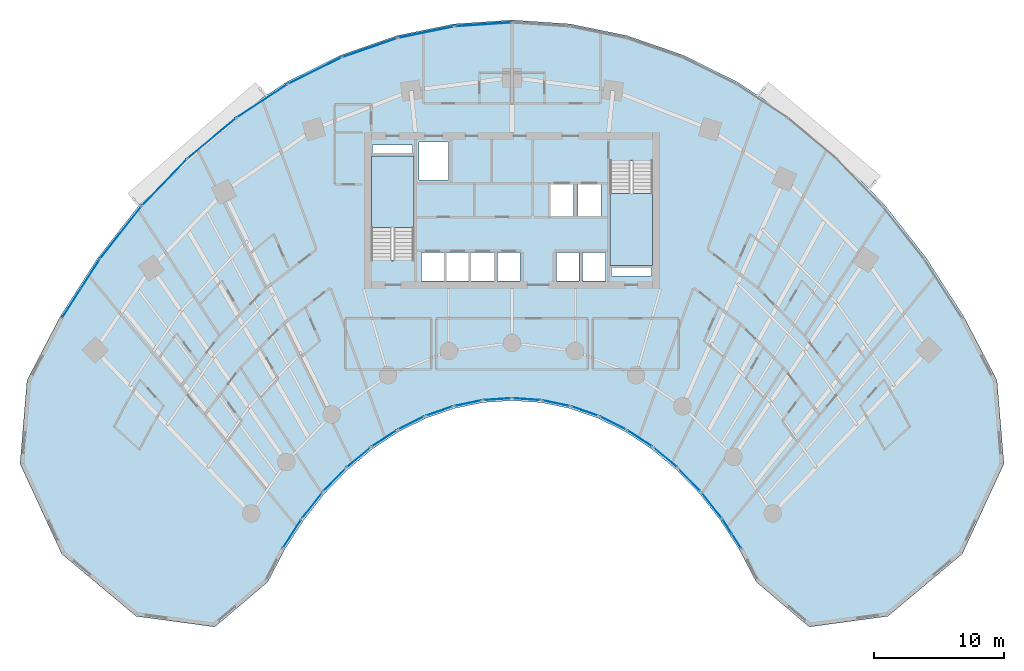
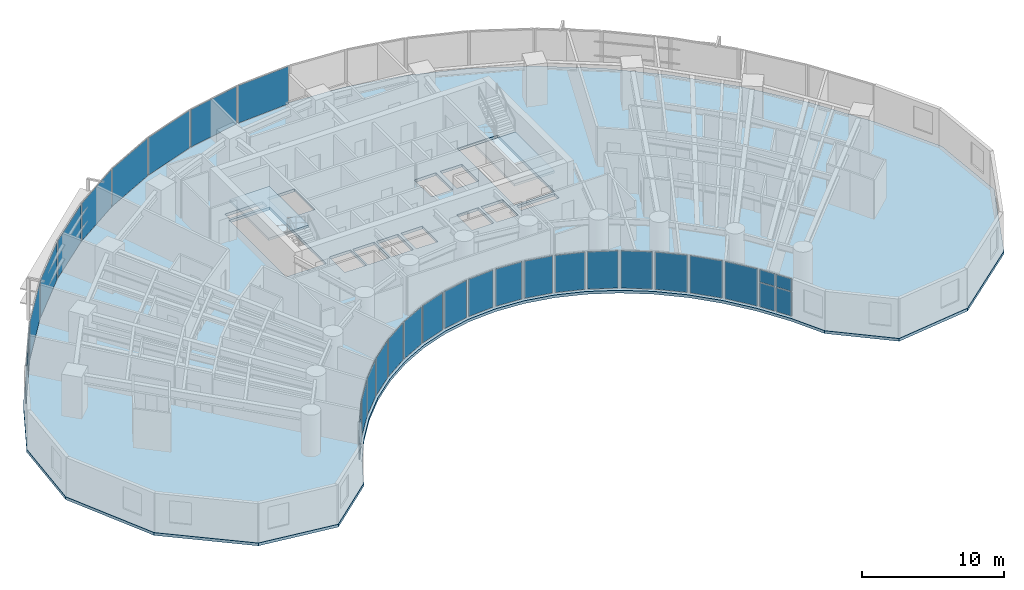
# One storey, part 9 of 18: 33 plates, 3 slabs, 29 elements without a shape of their own.
"""IFC4 building model written with IfcOpenShell, lengths in metres."""

from ifc_helpers import new_model, si_unit, direction, frame, origin, origin_2d, place, context, subcontext, project, spatial, polyline, rectangle, outline, extrude, source, transform, mapped, material, layer, layer_set, type_object, type_shapes, element, aggregate, save


model = new_model("IFC4")

# Units and contexts
model_context = context("Model", 3, precision=1e-05, world=origin(), true_north=direction((0.0, 1.0)))
body_context = subcontext(model_context, "Body", "Model", "MODEL_VIEW")
ifc_project = project(units=[si_unit("LENGTHUNIT", "METRE"), si_unit("AREAUNIT", "SQUARE_METRE"), si_unit("VOLUMEUNIT", "CUBIC_METRE"), si_unit("PLANEANGLEUNIT", "RADIAN"), si_unit("MASSUNIT", "GRAM", prefix="KILO")], contexts=[model_context])

# Site, building, storey
site_placement = place(None, origin())
site = spatial("IfcSite", under=ifc_project, at=site_placement, CompositionType="ELEMENT")
building_placement = place(site_placement, origin())
building = spatial("IfcBuilding", under=site, at=building_placement, Name="Breltana Convention Tower", CompositionType="ELEMENT")
storey_placement = place(building_placement, frame((0.0, 0.0, 42.60009765625)))
storey = spatial("IfcBuildingStorey", under=building, at=storey_placement, Name="L08", CompositionType="ELEMENT", Elevation=42.60009765625)

# Slab
ifc_material_1 = material(Name="Concrete C40/50", Category="concrete")
ifc_layer_1 = layer(ifc_material_1, 0.239990234375, Name="Concrete C40/50")
ifc_layer_set_1 = layer_set([ifc_layer_1], Name="Concrete C40/50")
slab_type_1 = type_object("IfcSlabType", Name="SL-HTL-240", PredefinedType="FLOOR", material=ifc_layer_set_1)
slab_1_placement = place(storey_placement, frame((0.0, 0.0, -0.239990234375)))
element("IfcSlab", 1, at=slab_1_placement, inside=storey, type_object=slab_type_1, Name="L08 Suspended Structural Floor Slab", PredefinedType="FLOOR", context=body_context, shape_type="SweptSolid", body=[
    extrude(outline(polyline([(85.229248046875, 53.173095703125), (82.687744140625, 58.054931640625), (79.791015625, 62.567626953125), (76.569091796875, 66.664794921875), (73.05419921875, 70.304931640625), (69.283203125, 73.450439453125), (65.2939453125, 76.069091796875), (61.1279296875, 78.134033203125), (56.827392578125, 79.62451171875), (52.436279296875, 80.52490234375), (48.0, 80.825927734375), (43.563720703125, 80.52490234375), (39.172607421875, 79.62451171875), (34.8720703125, 78.134033203125), (30.7060546875, 76.069091796875), (26.716796875, 73.450439453125), (22.94580078125, 70.304931640625), (19.430908203125, 66.664794921875), (16.208984375, 62.567626953125), (13.312255859375, 58.054931640625), (10.770751953125, 53.173095703125), (10.234619140625, 46.75927734375), (13.433837890625, 39.8388671875), (19.14697265625, 35.055419921875), (25.191162109375, 34.235595703125), (29.258056640625, 37.693115234375), (30.53759765625, 40.150634765625), (31.995849609375, 42.42236328125), (33.617919921875, 44.485107421875), (35.38720703125, 46.3173828125), (37.28564453125, 47.90087890625), (39.2939453125, 49.21923828125), (41.39111328125, 50.2587890625), (43.55615234375, 51.009033203125), (45.7666015625, 51.46240234375), (48.0, 51.614013671875), (50.2333984375, 51.46240234375), (52.44384765625, 51.009033203125), (54.60888671875, 50.2587890625), (56.7060546875, 49.21923828125), (58.71435546875, 47.90087890625), (60.61279296875, 46.3173828125), (62.382080078125, 44.485107421875), (64.004150390625, 42.42236328125), (65.46240234375, 40.150634765625), (66.741943359375, 37.693115234375), (70.808837890625, 34.235595703125), (76.85302734375, 35.055419921875), (82.566162109375, 39.8388671875), (85.765380859375, 46.75927734375), (85.229248046875, 53.173095703125)]), holes=[polyline([(37.199951171875, 62.385009765625), (40.469970703125, 62.385009765625), (40.469970703125, 70.39990234375), (37.199951171875, 70.39990234375), (37.199951171875, 62.385009765625)]), polyline([(55.530029296875, 62.0), (58.800048828125, 62.0), (58.800048828125, 70.014892578125), (55.530029296875, 70.014892578125), (55.530029296875, 62.0)]), polyline([(41.0400390625, 60.800048828125), (42.800048828125, 60.800048828125), (42.800048828125, 62.97998046875), (41.0400390625, 62.97998046875), (41.0400390625, 60.800048828125)]), polyline([(42.93994140625, 60.800048828125), (44.699951171875, 60.800048828125), (44.699951171875, 62.97998046875), (42.93994140625, 62.97998046875), (42.93994140625, 60.800048828125)]), polyline([(44.8701171875, 60.800048828125), (46.6298828125, 60.800048828125), (46.6298828125, 62.97998046875), (44.8701171875, 62.97998046875), (44.8701171875, 60.800048828125)]), polyline([(46.8701171875, 60.800048828125), (48.6298828125, 60.800048828125), (48.6298828125, 62.97998046875), (46.8701171875, 62.97998046875), (46.8701171875, 60.800048828125)]), polyline([(51.39990234375, 60.800048828125), (53.159912109375, 60.800048828125), (53.159912109375, 62.97998046875), (51.39990234375, 62.97998046875), (51.39990234375, 60.800048828125)]), polyline([(53.39990234375, 60.800048828125), (55.159912109375, 60.800048828125), (55.159912109375, 62.97998046875), (53.39990234375, 62.97998046875), (53.39990234375, 60.800048828125)]), polyline([(50.969970703125, 65.800048828125), (52.72998046875, 65.800048828125), (52.72998046875, 68.179931640625), (50.969970703125, 68.179931640625), (50.969970703125, 65.800048828125)]), polyline([(53.070068359375, 65.800048828125), (54.830078125, 65.800048828125), (54.830078125, 68.179931640625), (53.070068359375, 68.179931640625), (53.070068359375, 65.800048828125)]), polyline([(40.8798828125, 68.550048828125), (43.1201171875, 68.550048828125), (43.1201171875, 71.449951171875), (40.8798828125, 71.449951171875), (40.8798828125, 68.550048828125)]), polyline([(37.300048828125, 70.60009765625), (40.3798828125, 70.60009765625), (40.3798828125, 71.219970703125), (37.300048828125, 71.219970703125), (37.300048828125, 70.60009765625)]), polyline([(55.6201171875, 61.179931640625), (58.699951171875, 61.179931640625), (58.699951171875, 61.800048828125), (55.6201171875, 61.800048828125), (55.6201171875, 61.179931640625)])]), origin(), (0.0, 0.0, 1.0), 0.239990234375),
])

# Stair, slab
stair_type = type_object("IfcStairType", Name="ST-DOG-1560-R180", PredefinedType="HALF_TURN_STAIR", material=ifc_material_1)
stair_1_placement = place(storey_placement, origin())
stair_1 = element("IfcStair", 2, at=stair_1_placement, inside=storey, type_object=stair_type, Name="L08 Protected Core Exit Stair ST-1", PredefinedType="HALF_TURN_STAIR")
ifc_layer_2 = layer(ifc_material_1, 0.199951171875, Name="Concrete C40/50")
ifc_layer_set_2 = layer_set([ifc_layer_2], Name="Concrete C40/50")
slab_type_2 = type_object("IfcSlabType", Name="SL-STAIR-LANDING-200", PredefinedType="LANDING", material=ifc_layer_set_2)
slab_2_placement = place(storey_placement, frame((0.0, 0.0, 1.599853515625)))
slab_2 = element("IfcSlab", 3, at=slab_2_placement, type_object=slab_type_2, Name="ST-1 landing 1", PredefinedType="LANDING", context=body_context, shape_type="SweptSolid", body=[
    extrude(outline(polyline([(40.469970703125, 64.8798828125), (40.469970703125, 70.39990234375), (37.199951171875, 70.39990234375), (37.199951171875, 64.8798828125), (40.469970703125, 64.8798828125)])), origin(), (0.0, 0.0, 1.0), 0.199951171875),
])
aggregate(stair_1, [slab_2])

stair_2_placement = place(storey_placement, origin())
stair_2 = element("IfcStair", 4, at=stair_2_placement, inside=storey, type_object=stair_type, Name="L08 Protected Core Exit Stair ST-2", PredefinedType="HALF_TURN_STAIR")
slab_3_placement = place(storey_placement, frame((0.0, 0.0, 1.599853515625)))
slab_3 = element("IfcSlab", 5, at=slab_3_placement, type_object=slab_type_2, Name="ST-2 landing 1", PredefinedType="LANDING", context=body_context, shape_type="SweptSolid", body=[
    extrude(outline(polyline([(55.530029296875, 67.52001953125), (55.530029296875, 62.0), (58.800048828125, 62.0), (58.800048828125, 67.52001953125), (55.530029296875, 67.52001953125)])), origin(), (0.0, 0.0, 1.0), 0.199951171875),
])
aggregate(stair_2, [slab_3])

# Curtain wall, plates
ifc_material_2 = material(Name="Aluminium Anodised Bronze Frame", Category="aluminium")
ifc_layer_3 = layer(ifc_material_2, 0.18994140625, Name="Aluminium Anodised Bronze Frame")
ifc_layer_set_3 = layer_set([ifc_layer_3], Name="Aluminium Anodised Bronze Frame")
curtain_wall_type_1 = type_object("IfcCurtainWallType", Name="CW-SYS-1", PredefinedType="NOTDEFINED", material=ifc_layer_set_3)
curtain_wall_1_placement = place(storey_placement, origin())
curtain_wall_1 = element("IfcCurtainWall", 6, at=curtain_wall_1_placement, inside=storey, type_object=curtain_wall_type_1, Name="L08 inner south-court glazing 1", PredefinedType="NOTDEFINED")
ifc_material_3 = material(Name="Glass Low-E Double Glazing", Category="glass")
ifc_layer_4 = layer(ifc_material_3, 0.028076171875, Name="Glass Low-E Double Glazing")
ifc_layer_set_4 = layer_set([ifc_layer_4], Name="Glass Low-E Double Glazing")
plate_type_1 = type_object("IfcPlateType", Name="CWP-IGU-28", PredefinedType="CURTAIN_PANEL", material=ifc_layer_set_4)
shared_shape_1 = source(origin(), body_context, "Body", "SweptSolid", [
    extrude(rectangle(XDim=1.229736328125, YDim=0.028076171875, at=origin_2d()), origin(), (0.0, 0.0, 1.0), 2.06396484375),
])
plate_1_placement = place(storey_placement, frame((65.238525390625, 40.83251953125, 0.079833984375), z_axis=(0.0, 0.0, 1.0), x_axis=(-0.540169576197, 0.841556194767, 0.0)))
plate_1 = element("IfcPlate", 7, at=plate_1_placement, type_object=plate_type_1, Name="CW-01 panel 1.1", PredefinedType="CURTAIN_PANEL", context=body_context, shape_type="MappedRepresentation", body=[
    mapped(shared_shape_1, transform((0.0, 0.0, 0.0), scale=1.0)),
])
plate_2_placement = place(storey_placement, frame((64.531005859375, 41.934814453125, 0.079833984375), z_axis=(0.0, 0.0, 1.0), x_axis=(-0.540169576197, 0.841556194767, 0.0)))
plate_2 = element("IfcPlate", 8, at=plate_2_placement, type_object=plate_type_1, Name="CW-01 panel 2.1", PredefinedType="CURTAIN_PANEL", context=body_context, shape_type="MappedRepresentation", body=[
    mapped(shared_shape_1, transform((0.0, 0.0, 0.0), scale=1.0)),
])
shared_shape_2 = source(origin(), body_context, "Body", "SweptSolid", [
    extrude(rectangle(XDim=1.229736328125, YDim=0.028076171875, at=origin_2d()), origin(), (0.0, 0.0, 1.0), 1.055908203125),
])
plate_3_placement = place(storey_placement, frame((65.238525390625, 40.83251953125, 2.22412109375), z_axis=(0.0, 0.0, 1.0), x_axis=(-0.540169576197, 0.841556194767, 0.0)))
plate_3 = element("IfcPlate", 9, at=plate_3_placement, type_object=plate_type_1, Name="CW-01 panel 1.2", PredefinedType="CURTAIN_PANEL", context=body_context, shape_type="MappedRepresentation", body=[
    mapped(shared_shape_2, transform((0.0, 0.0, 0.0), scale=1.0)),
])
plate_4_placement = place(storey_placement, frame((64.531005859375, 41.934814453125, 2.22412109375), z_axis=(0.0, 0.0, 1.0), x_axis=(-0.540169576197, 0.841556194767, 0.0)))
plate_4 = element("IfcPlate", 10, at=plate_4_placement, type_object=plate_type_1, Name="CW-01 panel 2.2", PredefinedType="CURTAIN_PANEL", context=body_context, shape_type="MappedRepresentation", body=[
    mapped(shared_shape_2, transform((0.0, 0.0, 0.0), scale=1.0)),
])
aggregate(curtain_wall_1, [plate_1, plate_3, plate_2, plate_4])

# Curtain wall, plate
curtain_wall_2_placement = place(storey_placement, origin())
curtain_wall_2 = element("IfcCurtainWall", 11, at=curtain_wall_2_placement, inside=storey, type_object=curtain_wall_type_1, Name="L08 inner south-court glazing 2", PredefinedType="NOTDEFINED")
shared_shape_3 = source(origin(), body_context, "Body", "SweptSolid", [
    extrude(rectangle(XDim=2.464111328125, YDim=0.028076171875, at=origin_2d()), origin(), (0.0, 0.0, 1.0), 3.199951171875),
])
plate_5_placement = place(storey_placement, frame((63.334716796875, 43.56494140625, 0.080078125), z_axis=(0.0, 0.0, 1.0), x_axis=(-0.61815305034, 0.786057762734, 0.0)))
plate_5 = element("IfcPlate", 12, at=plate_5_placement, type_object=plate_type_1, Name="CW-01 panel 1.1", PredefinedType="CURTAIN_PANEL", context=body_context, shape_type="MappedRepresentation", body=[
    mapped(shared_shape_3, transform((0.0, 0.0, 0.0), scale=1.0)),
])
aggregate(curtain_wall_2, [plate_5])

curtain_wall_3_placement = place(storey_placement, origin())
curtain_wall_3 = element("IfcCurtainWall", 13, at=curtain_wall_3_placement, inside=storey, type_object=curtain_wall_type_1, Name="L08 inner south-court glazing 17", PredefinedType="NOTDEFINED")
plate_6_placement = place(storey_placement, frame((32.665283203125, 43.56494140625, 0.080078125), z_axis=(0.0, 0.0, 1.0), x_axis=(-0.61815305034, -0.786057762734, 0.0)))
plate_6 = element("IfcPlate", 14, at=plate_6_placement, type_object=plate_type_1, Name="CW-01 panel 1.1", PredefinedType="CURTAIN_PANEL", context=body_context, shape_type="MappedRepresentation", body=[
    mapped(shared_shape_3, transform((0.0, 0.0, 0.0), scale=1.0)),
])
aggregate(curtain_wall_3, [plate_6])

curtain_wall_4_placement = place(storey_placement, origin())
curtain_wall_4 = element("IfcCurtainWall", 15, at=curtain_wall_4_placement, inside=storey, type_object=curtain_wall_type_1, Name="L08 inner south-court glazing 3", PredefinedType="NOTDEFINED")
shared_shape_4 = source(origin(), body_context, "Body", "SweptSolid", [
    extrude(rectangle(XDim=2.38720703125, YDim=0.028076171875, at=origin_2d()), origin(), (0.0, 0.0, 1.0), 3.199951171875),
])
plate_7_placement = place(storey_placement, frame((61.626953125, 45.5263671875, 0.080078125), z_axis=(0.0, 0.0, 1.0), x_axis=(-0.694612029111, 0.719384548773, 0.0)))
plate_7 = element("IfcPlate", 16, at=plate_7_placement, type_object=plate_type_1, Name="CW-01 panel 1.1", PredefinedType="CURTAIN_PANEL", context=body_context, shape_type="MappedRepresentation", body=[
    mapped(shared_shape_4, transform((0.0, 0.0, 0.0), scale=1.0)),
])
aggregate(curtain_wall_4, [plate_7])

curtain_wall_5_placement = place(storey_placement, origin())
curtain_wall_5 = element("IfcCurtainWall", 17, at=curtain_wall_5_placement, inside=storey, type_object=curtain_wall_type_1, Name="L08 inner south-court glazing 16", PredefinedType="NOTDEFINED")
plate_8_placement = place(storey_placement, frame((34.373046875, 45.5263671875, 0.080078125), z_axis=(0.0, 0.0, 1.0), x_axis=(-0.694612029111, -0.719384548773, 0.0)))
plate_8 = element("IfcPlate", 18, at=plate_8_placement, type_object=plate_type_1, Name="CW-01 panel 1.1", PredefinedType="CURTAIN_PANEL", context=body_context, shape_type="MappedRepresentation", body=[
    mapped(shared_shape_4, transform((0.0, 0.0, 0.0), scale=1.0)),
])
aggregate(curtain_wall_5, [plate_8])

curtain_wall_6_placement = place(storey_placement, origin())
curtain_wall_6 = element("IfcCurtainWall", 19, at=curtain_wall_6_placement, inside=storey, type_object=curtain_wall_type_1, Name="L08 inner south-court glazing 4", PredefinedType="NOTDEFINED")
shared_shape_5 = source(origin(), body_context, "Body", "SweptSolid", [
    extrude(rectangle(XDim=2.312255859375, YDim=0.028076171875, at=origin_2d()), origin(), (0.0, 0.0, 1.0), 3.199951171875),
])
plate_9_placement = place(storey_placement, frame((59.77880859375, 47.24755859375, 0.080078125), z_axis=(0.0, 0.0, 1.0), x_axis=(-0.767939382804, 0.640522524458, 0.0)))
plate_9 = element("IfcPlate", 20, at=plate_9_placement, type_object=plate_type_1, Name="CW-01 panel 1.1", PredefinedType="CURTAIN_PANEL", context=body_context, shape_type="MappedRepresentation", body=[
    mapped(shared_shape_5, transform((0.0, 0.0, 0.0), scale=1.0)),
])
aggregate(curtain_wall_6, [plate_9])

curtain_wall_7_placement = place(storey_placement, origin())
curtain_wall_7 = element("IfcCurtainWall", 21, at=curtain_wall_7_placement, inside=storey, type_object=curtain_wall_type_1, Name="L08 inner south-court glazing 15", PredefinedType="NOTDEFINED")
plate_10_placement = place(storey_placement, frame((36.22119140625, 47.24755859375, 0.080078125), z_axis=(0.0, 0.0, 1.0), x_axis=(-0.767939382804, -0.640522524458, 0.0)))
plate_10 = element("IfcPlate", 22, at=plate_10_placement, type_object=plate_type_1, Name="CW-01 panel 1.1", PredefinedType="CURTAIN_PANEL", context=body_context, shape_type="MappedRepresentation", body=[
    mapped(shared_shape_5, transform((0.0, 0.0, 0.0), scale=1.0)),
])
aggregate(curtain_wall_7, [plate_10])

curtain_wall_8_placement = place(storey_placement, origin())
curtain_wall_8 = element("IfcCurtainWall", 23, at=curtain_wall_8_placement, inside=storey, type_object=curtain_wall_type_1, Name="L08 inner south-court glazing 5", PredefinedType="NOTDEFINED")
shared_shape_6 = source(origin(), body_context, "Body", "SweptSolid", [
    extrude(rectangle(XDim=2.2421875, YDim=0.028076171875, at=origin_2d()), origin(), (0.0, 0.0, 1.0), 3.199951171875),
])
plate_11_placement = place(storey_placement, frame((57.80908203125, 48.710693359375, 0.080078125), z_axis=(0.0, 0.0, 1.0), x_axis=(-0.835967942634, 0.548778278441, 0.0)))
plate_11 = element("IfcPlate", 24, at=plate_11_placement, type_object=plate_type_1, Name="CW-01 panel 1.1", PredefinedType="CURTAIN_PANEL", context=body_context, shape_type="MappedRepresentation", body=[
    mapped(shared_shape_6, transform((0.0, 0.0, 0.0), scale=1.0)),
])
aggregate(curtain_wall_8, [plate_11])

curtain_wall_9_placement = place(storey_placement, origin())
curtain_wall_9 = element("IfcCurtainWall", 25, at=curtain_wall_9_placement, inside=storey, type_object=curtain_wall_type_1, Name="L08 inner south-court glazing 14", PredefinedType="NOTDEFINED")
plate_12_placement = place(storey_placement, frame((38.19091796875, 48.710693359375, 0.080078125), z_axis=(0.0, 0.0, 1.0), x_axis=(-0.835967942634, -0.548778278441, 0.0)))
plate_12 = element("IfcPlate", 26, at=plate_12_placement, type_object=plate_type_1, Name="CW-01 panel 1.1", PredefinedType="CURTAIN_PANEL", context=body_context, shape_type="MappedRepresentation", body=[
    mapped(shared_shape_6, transform((0.0, 0.0, 0.0), scale=1.0)),
])
aggregate(curtain_wall_9, [plate_12])

curtain_wall_10_placement = place(storey_placement, origin())
curtain_wall_10 = element("IfcCurtainWall", 27, at=curtain_wall_10_placement, inside=storey, type_object=curtain_wall_type_1, Name="L08 inner south-court glazing 6", PredefinedType="NOTDEFINED")
shared_shape_7 = source(origin(), body_context, "Body", "SweptSolid", [
    extrude(rectangle(XDim=2.180908203125, YDim=0.028076171875, at=origin_2d()), origin(), (0.0, 0.0, 1.0), 3.199951171875),
])
plate_13_placement = place(storey_placement, frame((55.7373046875, 49.900390625, 0.080078125), z_axis=(0.0, 0.0, 1.0), x_axis=(-0.895968310315, 0.444117987602, 0.0)))
plate_13 = element("IfcPlate", 28, at=plate_13_placement, type_object=plate_type_1, Name="CW-01 panel 1.1", PredefinedType="CURTAIN_PANEL", context=body_context, shape_type="MappedRepresentation", body=[
    mapped(shared_shape_7, transform((0.0, 0.0, 0.0), scale=1.0)),
])
aggregate(curtain_wall_10, [plate_13])

curtain_wall_11_placement = place(storey_placement, origin())
curtain_wall_11 = element("IfcCurtainWall", 29, at=curtain_wall_11_placement, inside=storey, type_object=curtain_wall_type_1, Name="L08 inner south-court glazing 13", PredefinedType="NOTDEFINED")
plate_14_placement = place(storey_placement, frame((40.2626953125, 49.900390625, 0.080078125), z_axis=(0.0, 0.0, 1.0), x_axis=(-0.895968310315, -0.444117987602, 0.0)))
plate_14 = element("IfcPlate", 30, at=plate_14_placement, type_object=plate_type_1, Name="CW-01 panel 1.1", PredefinedType="CURTAIN_PANEL", context=body_context, shape_type="MappedRepresentation", body=[
    mapped(shared_shape_7, transform((0.0, 0.0, 0.0), scale=1.0)),
])
aggregate(curtain_wall_11, [plate_14])

curtain_wall_12_placement = place(storey_placement, origin())
curtain_wall_12 = element("IfcCurtainWall", 31, at=curtain_wall_12_placement, inside=storey, type_object=curtain_wall_type_1, Name="L08 inner south-court glazing 7", PredefinedType="NOTDEFINED")
shared_shape_8 = source(origin(), body_context, "Body", "SweptSolid", [
    extrude(rectangle(XDim=2.13134765625, YDim=0.028076171875, at=origin_2d()), origin(), (0.0, 0.0, 1.0), 3.199951171875),
])
plate_15_placement = place(storey_placement, frame((53.585205078125, 50.80419921875, 0.080078125), z_axis=(0.0, 0.0, 1.0), x_axis=(-0.944881211406, 0.327413341714, 0.0)))
plate_15 = element("IfcPlate", 32, at=plate_15_placement, type_object=plate_type_1, Name="CW-01 panel 1.1", PredefinedType="CURTAIN_PANEL", context=body_context, shape_type="MappedRepresentation", body=[
    mapped(shared_shape_8, transform((0.0, 0.0, 0.0), scale=1.0)),
])
aggregate(curtain_wall_12, [plate_15])

curtain_wall_13_placement = place(storey_placement, origin())
curtain_wall_13 = element("IfcCurtainWall", 33, at=curtain_wall_13_placement, inside=storey, type_object=curtain_wall_type_1, Name="L08 inner south-court glazing 12", PredefinedType="NOTDEFINED")
plate_16_placement = place(storey_placement, frame((42.414794921875, 50.80419921875, 0.080078125), z_axis=(0.0, 0.0, 1.0), x_axis=(-0.944881211406, -0.327413341714, 0.0)))
plate_16 = element("IfcPlate", 34, at=plate_16_placement, type_object=plate_type_1, Name="CW-01 panel 1.1", PredefinedType="CURTAIN_PANEL", context=body_context, shape_type="MappedRepresentation", body=[
    mapped(shared_shape_8, transform((0.0, 0.0, 0.0), scale=1.0)),
])
aggregate(curtain_wall_13, [plate_16])

curtain_wall_14_placement = place(storey_placement, origin())
curtain_wall_14 = element("IfcCurtainWall", 35, at=curtain_wall_14_placement, inside=storey, type_object=curtain_wall_type_1, Name="L08 inner south-court glazing 8", PredefinedType="NOTDEFINED")
shared_shape_9 = source(origin(), body_context, "Body", "SweptSolid", [
    extrude(rectangle(XDim=2.096435546875, YDim=0.028076171875, at=origin_2d()), origin(), (0.0, 0.0, 1.0), 3.199951171875),
])
plate_17_placement = place(storey_placement, frame((51.374755859375, 51.412109375, 0.080078125), z_axis=(0.0, 0.0, 1.0), x_axis=(-0.97961455393, 0.200886350278, 0.0)))
plate_17 = element("IfcPlate", 36, at=plate_17_placement, type_object=plate_type_1, Name="CW-01 panel 1.1", PredefinedType="CURTAIN_PANEL", context=body_context, shape_type="MappedRepresentation", body=[
    mapped(shared_shape_9, transform((0.0, 0.0, 0.0), scale=1.0)),
])
aggregate(curtain_wall_14, [plate_17])

curtain_wall_15_placement = place(storey_placement, origin())
curtain_wall_15 = element("IfcCurtainWall", 37, at=curtain_wall_15_placement, inside=storey, type_object=curtain_wall_type_1, Name="L08 inner south-court glazing 11", PredefinedType="NOTDEFINED")
plate_18_placement = place(storey_placement, frame((44.625244140625, 51.412109375, 0.080078125), z_axis=(0.0, 0.0, 1.0), x_axis=(-0.97961455393, -0.200886350278, 0.0)))
plate_18 = element("IfcPlate", 38, at=plate_18_placement, type_object=plate_type_1, Name="CW-01 panel 1.1", PredefinedType="CURTAIN_PANEL", context=body_context, shape_type="MappedRepresentation", body=[
    mapped(shared_shape_9, transform((0.0, 0.0, 0.0), scale=1.0)),
])
aggregate(curtain_wall_15, [plate_18])

curtain_wall_16_placement = place(storey_placement, origin())
curtain_wall_16 = element("IfcCurtainWall", 39, at=curtain_wall_16_placement, inside=storey, type_object=curtain_wall_type_1, Name="L08 inner south-court glazing 9", PredefinedType="NOTDEFINED")
shared_shape_10 = source(origin(), body_context, "Body", "SweptSolid", [
    extrude(rectangle(XDim=2.078369140625, YDim=0.028076171875, at=origin_2d()), origin(), (0.0, 0.0, 1.0), 3.199951171875),
])
plate_19_placement = place(storey_placement, frame((49.12890625, 51.7177734375, 0.080078125), z_axis=(0.0, 0.0, 1.0), x_axis=(-0.997703975371, 0.067725752326, 0.0)))
plate_19 = element("IfcPlate", 40, at=plate_19_placement, type_object=plate_type_1, Name="CW-01 panel 1.1", PredefinedType="CURTAIN_PANEL", context=body_context, shape_type="MappedRepresentation", body=[
    mapped(shared_shape_10, transform((0.0, 0.0, 0.0), scale=1.0)),
])
aggregate(curtain_wall_16, [plate_19])

curtain_wall_17_placement = place(storey_placement, origin())
curtain_wall_17 = element("IfcCurtainWall", 41, at=curtain_wall_17_placement, inside=storey, type_object=curtain_wall_type_1, Name="L08 inner south-court glazing 10", PredefinedType="NOTDEFINED")
plate_20_placement = place(storey_placement, frame((46.87109375, 51.7177734375, 0.080078125), z_axis=(0.0, 0.0, 1.0), x_axis=(-0.997703975371, -0.067725752326, 0.0)))
plate_20 = element("IfcPlate", 42, at=plate_20_placement, type_object=plate_type_1, Name="CW-01 panel 1.1", PredefinedType="CURTAIN_PANEL", context=body_context, shape_type="MappedRepresentation", body=[
    mapped(shared_shape_10, transform((0.0, 0.0, 0.0), scale=1.0)),
])
aggregate(curtain_wall_17, [plate_20])

curtain_wall_18_placement = place(storey_placement, origin())
curtain_wall_18 = element("IfcCurtainWall", 43, at=curtain_wall_18_placement, inside=storey, type_object=curtain_wall_type_1, Name="L08 inner south-court glazing 18", PredefinedType="NOTDEFINED")
shared_shape_11 = source(origin(), body_context, "Body", "SweptSolid", [
    extrude(rectangle(XDim=2.53955078125, YDim=0.028076171875, at=origin_2d()), origin(), (0.0, 0.0, 1.0), 3.199951171875),
])
plate_21_placement = place(storey_placement, frame((31.115234375, 41.3837890625, 0.080078125), z_axis=(0.0, 0.0, 1.0), x_axis=(-0.540169576197, -0.841556194767, 0.0)))
plate_21 = element("IfcPlate", 44, at=plate_21_placement, type_object=plate_type_1, Name="CW-01 panel 1.1", PredefinedType="CURTAIN_PANEL", context=body_context, shape_type="MappedRepresentation", body=[
    mapped(shared_shape_11, transform((0.0, 0.0, 0.0), scale=1.0)),
])
aggregate(curtain_wall_18, [plate_21])

# Curtain wall, plates
ifc_layer_5 = layer(ifc_material_2, 0.199951171875, Name="Aluminium Anodised Bronze Frame")
ifc_layer_set_5 = layer_set([ifc_layer_5], Name="Aluminium Anodised Bronze Frame")
curtain_wall_type_2 = type_object("IfcCurtainWallType", Name="CW-SYS-2", PredefinedType="NOTDEFINED", material=ifc_layer_set_5)
curtain_wall_19_placement = place(storey_placement, origin())
curtain_wall_19 = element("IfcCurtainWall", 45, at=curtain_wall_19_placement, inside=storey, type_object=curtain_wall_type_2, Name="L08 outer double-skin inner glazing 1", PredefinedType="NOTDEFINED")
ifc_layer_6 = layer(ifc_material_3, 0.031982421875, Name="Glass Low-E Double Glazing")
ifc_layer_set_6 = layer_set([ifc_layer_6], Name="Glass Low-E Double Glazing")
plate_type_2 = type_object("IfcPlateType", Name="CWP-IGU-32", PredefinedType="CURTAIN_PANEL", material=ifc_layer_set_6)
shared_shape_12 = source(origin(), body_context, "Body", "SweptSolid", [
    extrude(rectangle(XDim=2.56787109375, YDim=0.031982421875, at=origin_2d()), origin(), (0.0, 0.0, 1.0), 2.0791015625),
])
type_shapes(plate_type_2, [shared_shape_12])
plate_22_placement = place(storey_placement, frame((14.199462890625, 59.103759765625, 0.06982421875), z_axis=(0.0, 0.0, 1.0), x_axis=(0.540180724109, 0.841549039154, 0.0)))
plate_22 = element("IfcPlate", 46, at=plate_22_placement, type_object=plate_type_2, Name="CW-02 panel 1.1", PredefinedType="CURTAIN_PANEL", context=body_context, shape_type="MappedRepresentation", body=[
    mapped(shared_shape_12, transform((0.0, 0.0, 0.0), scale=1.0)),
])
plate_23_placement = place(storey_placement, frame((15.624267578125, 61.32373046875, 0.06982421875), z_axis=(0.0, 0.0, 1.0), x_axis=(0.540180724109, 0.841549039154, 0.0)))
plate_23 = element("IfcPlate", 47, at=plate_23_placement, type_object=plate_type_2, Name="CW-02 panel 2.1", PredefinedType="CURTAIN_PANEL", context=body_context, shape_type="MappedRepresentation", body=[
    mapped(shared_shape_12, transform((0.0, 0.0, 0.0), scale=1.0)),
])
shared_shape_13 = source(origin(), body_context, "Body", "SweptSolid", [
    extrude(rectangle(XDim=2.56787109375, YDim=0.031982421875, at=origin_2d()), origin(), (0.0, 0.0, 1.0), 1.071044921875),
])
plate_24_placement = place(storey_placement, frame((14.199462890625, 59.103759765625, 2.21875), z_axis=(0.0, 0.0, 1.0), x_axis=(0.540180724109, 0.841549039154, 0.0)))
plate_24 = element("IfcPlate", 48, at=plate_24_placement, type_object=plate_type_2, Name="CW-02 panel 1.2", PredefinedType="CURTAIN_PANEL", context=body_context, shape_type="MappedRepresentation", body=[
    mapped(shared_shape_13, transform((0.0, 0.0, 0.0), scale=1.0)),
])
plate_25_placement = place(storey_placement, frame((15.624267578125, 61.32373046875, 2.21875), z_axis=(0.0, 0.0, 1.0), x_axis=(0.540180724109, 0.841549039154, 0.0)))
plate_25 = element("IfcPlate", 49, at=plate_25_placement, type_object=plate_type_2, Name="CW-02 panel 2.2", PredefinedType="CURTAIN_PANEL", context=body_context, shape_type="MappedRepresentation", body=[
    mapped(shared_shape_13, transform((0.0, 0.0, 0.0), scale=1.0)),
])
aggregate(curtain_wall_19, [plate_22, plate_24, plate_23, plate_25])

# Curtain wall, plate
curtain_wall_20_placement = place(storey_placement, origin())
curtain_wall_20 = element("IfcCurtainWall", 50, at=curtain_wall_20_placement, inside=storey, type_object=curtain_wall_type_2, Name="L08 outer double-skin inner glazing 2", PredefinedType="NOTDEFINED")
shared_shape_14 = source(origin(), body_context, "Body", "SweptSolid", [
    extrude(rectangle(XDim=5.0546875, YDim=0.031982421875, at=origin_2d()), origin(), (0.0, 0.0, 1.0), 3.219970703125),
])
plate_26_placement = place(storey_placement, frame((17.961181640625, 64.504638671875, 0.06982421875), z_axis=(0.0, 0.0, 1.0), x_axis=(0.618153917633, 0.786057080698, 0.0)))
plate_26 = element("IfcPlate", 51, at=plate_26_placement, type_object=plate_type_2, Name="CW-02 panel 1.1", PredefinedType="CURTAIN_PANEL", context=body_context, shape_type="MappedRepresentation", body=[
    mapped(shared_shape_14, transform((0.0, 0.0, 0.0), scale=1.0)),
])
aggregate(curtain_wall_20, [plate_26])

curtain_wall_21_placement = place(storey_placement, origin())
curtain_wall_21 = element("IfcCurtainWall", 52, at=curtain_wall_21_placement, inside=storey, type_object=curtain_wall_type_2, Name="L08 outer double-skin inner glazing 3", PredefinedType="NOTDEFINED")
shared_shape_15 = source(origin(), body_context, "Body", "SweptSolid", [
    extrude(rectangle(XDim=4.901123046875, YDim=0.031982421875, at=origin_2d()), origin(), (0.0, 0.0, 1.0), 3.219970703125),
])
plate_27_placement = place(storey_placement, frame((21.317626953125, 68.359619140625, 0.06982421875), z_axis=(0.0, 0.0, 1.0), x_axis=(0.694610090106, 0.719386421003, 0.0)))
plate_27 = element("IfcPlate", 53, at=plate_27_placement, type_object=plate_type_2, Name="CW-02 panel 1.1", PredefinedType="CURTAIN_PANEL", context=body_context, shape_type="MappedRepresentation", body=[
    mapped(shared_shape_15, transform((0.0, 0.0, 0.0), scale=1.0)),
])
aggregate(curtain_wall_21, [plate_27])

curtain_wall_22_placement = place(storey_placement, origin())
curtain_wall_22 = element("IfcCurtainWall", 54, at=curtain_wall_22_placement, inside=storey, type_object=curtain_wall_type_2, Name="L08 outer double-skin inner glazing 4", PredefinedType="NOTDEFINED")
shared_shape_16 = source(origin(), body_context, "Body", "SweptSolid", [
    extrude(rectangle(XDim=4.7509765625, YDim=0.031982421875, at=origin_2d()), origin(), (0.0, 0.0, 1.0), 3.219970703125),
])
plate_28_placement = place(storey_placement, frame((24.9462890625, 71.7392578125, 0.06982421875), z_axis=(0.0, 0.0, 1.0), x_axis=(0.767941326958, 0.640520193554, 0.0)))
plate_28 = element("IfcPlate", 55, at=plate_28_placement, type_object=plate_type_2, Name="CW-02 panel 1.1", PredefinedType="CURTAIN_PANEL", context=body_context, shape_type="MappedRepresentation", body=[
    mapped(shared_shape_16, transform((0.0, 0.0, 0.0), scale=1.0)),
])
aggregate(curtain_wall_22, [plate_28])

curtain_wall_23_placement = place(storey_placement, origin())
curtain_wall_23 = element("IfcCurtainWall", 56, at=curtain_wall_23_placement, inside=storey, type_object=curtain_wall_type_2, Name="L08 outer double-skin inner glazing 5", PredefinedType="NOTDEFINED")
shared_shape_17 = source(origin(), body_context, "Body", "SweptSolid", [
    extrude(rectangle(XDim=4.610595703125, YDim=0.031982421875, at=origin_2d()), origin(), (0.0, 0.0, 1.0), 3.219970703125),
])
plate_29_placement = place(storey_placement, frame((28.81005859375, 74.609130859375, 0.06982421875), z_axis=(0.0, 0.0, 1.0), x_axis=(0.83596401875, 0.548784255746, 0.0)))
plate_29 = element("IfcPlate", 57, at=plate_29_placement, type_object=plate_type_2, Name="CW-02 panel 1.1", PredefinedType="CURTAIN_PANEL", context=body_context, shape_type="MappedRepresentation", body=[
    mapped(shared_shape_17, transform((0.0, 0.0, 0.0), scale=1.0)),
])
aggregate(curtain_wall_23, [plate_29])

curtain_wall_24_placement = place(storey_placement, origin())
curtain_wall_24 = element("IfcCurtainWall", 58, at=curtain_wall_24_placement, inside=storey, type_object=curtain_wall_type_2, Name="L08 outer double-skin inner glazing 6", PredefinedType="NOTDEFINED")
shared_shape_18 = source(origin(), body_context, "Body", "SweptSolid", [
    extrude(rectangle(XDim=4.487548828125, YDim=0.031982421875, at=origin_2d()), origin(), (0.0, 0.0, 1.0), 3.219970703125),
])
plate_30_placement = place(storey_placement, frame((32.86865234375, 76.940185546875, 0.06982421875), z_axis=(0.0, 0.0, 1.0), x_axis=(0.895973407804, 0.444107703726, 0.0)))
plate_30 = element("IfcPlate", 59, at=plate_30_placement, type_object=plate_type_2, Name="CW-02 panel 1.1", PredefinedType="CURTAIN_PANEL", context=body_context, shape_type="MappedRepresentation", body=[
    mapped(shared_shape_18, transform((0.0, 0.0, 0.0), scale=1.0)),
])
aggregate(curtain_wall_24, [plate_30])

curtain_wall_25_placement = place(storey_placement, origin())
curtain_wall_25 = element("IfcCurtainWall", 60, at=curtain_wall_25_placement, inside=storey, type_object=curtain_wall_type_2, Name="L08 outer double-skin inner glazing 7", PredefinedType="NOTDEFINED")
shared_shape_19 = source(origin(), body_context, "Body", "SweptSolid", [
    extrude(rectangle(XDim=4.388427734375, YDim=0.031982421875, at=origin_2d()), origin(), (0.0, 0.0, 1.0), 3.219970703125),
])
plate_31_placement = place(storey_placement, frame((37.0810546875, 78.709228515625, 0.06982421875), z_axis=(0.0, 0.0, 1.0), x_axis=(0.944876012163, 0.32742834581, 0.0)))
plate_31 = element("IfcPlate", 61, at=plate_31_placement, type_object=plate_type_2, Name="CW-02 panel 1.1", PredefinedType="CURTAIN_PANEL", context=body_context, shape_type="MappedRepresentation", body=[
    mapped(shared_shape_19, transform((0.0, 0.0, 0.0), scale=1.0)),
])
aggregate(curtain_wall_25, [plate_31])

curtain_wall_26_placement = place(storey_placement, origin())
curtain_wall_26 = element("IfcCurtainWall", 62, at=curtain_wall_26_placement, inside=storey, type_object=curtain_wall_type_2, Name="L08 outer double-skin inner glazing 8", PredefinedType="NOTDEFINED")
shared_shape_20 = source(origin(), body_context, "Body", "SweptSolid", [
    extrude(rectangle(XDim=4.318359375, YDim=0.031982421875, at=origin_2d()), origin(), (0.0, 0.0, 1.0), 3.219970703125),
])
plate_32_placement = place(storey_placement, frame((41.404296875, 79.898193359375, 0.06982421875), z_axis=(0.0, 0.0, 1.0), x_axis=(0.979614925743, 0.200884537139, 0.0)))
plate_32 = element("IfcPlate", 63, at=plate_32_placement, type_object=plate_type_2, Name="CW-02 panel 1.1", PredefinedType="CURTAIN_PANEL", context=body_context, shape_type="MappedRepresentation", body=[
    mapped(shared_shape_20, transform((0.0, 0.0, 0.0), scale=1.0)),
])
aggregate(curtain_wall_26, [plate_32])

curtain_wall_27_placement = place(storey_placement, origin())
curtain_wall_27 = element("IfcCurtainWall", 64, at=curtain_wall_27_placement, inside=storey, type_object=curtain_wall_type_2, Name="L08 outer double-skin inner glazing 9", PredefinedType="NOTDEFINED")
shared_shape_21 = source(origin(), body_context, "Body", "SweptSolid", [
    extrude(rectangle(XDim=4.2822265625, YDim=0.031982421875, at=origin_2d()), origin(), (0.0, 0.0, 1.0), 3.219970703125),
])
plate_33_placement = place(storey_placement, frame((45.7939453125, 80.495849609375, 0.06982421875), z_axis=(0.0, 0.0, 1.0), x_axis=(0.997703982282, 0.067725650529, 0.0)))
plate_33 = element("IfcPlate", 65, at=plate_33_placement, type_object=plate_type_2, Name="CW-02 panel 1.1", PredefinedType="CURTAIN_PANEL", context=body_context, shape_type="MappedRepresentation", body=[
    mapped(shared_shape_21, transform((0.0, 0.0, 0.0), scale=1.0)),
])
aggregate(curtain_wall_27, [plate_33])

save(model, "model.ifc")
